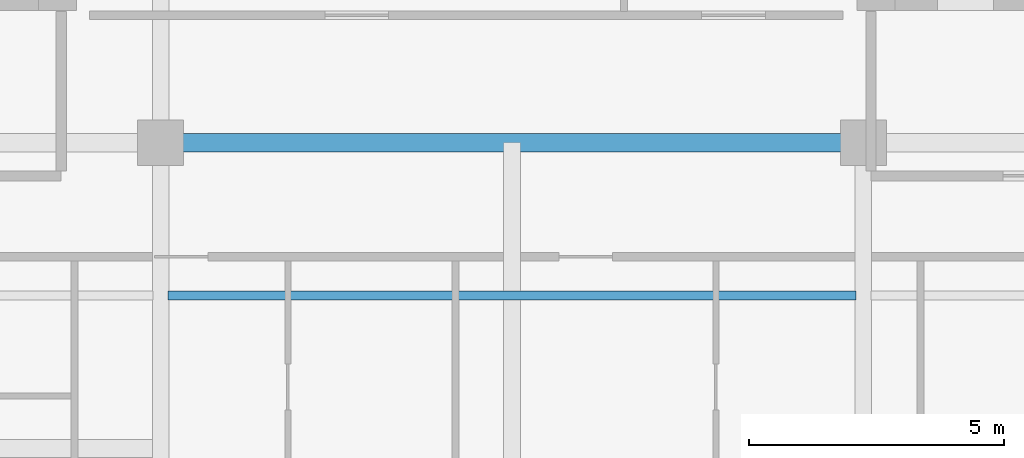
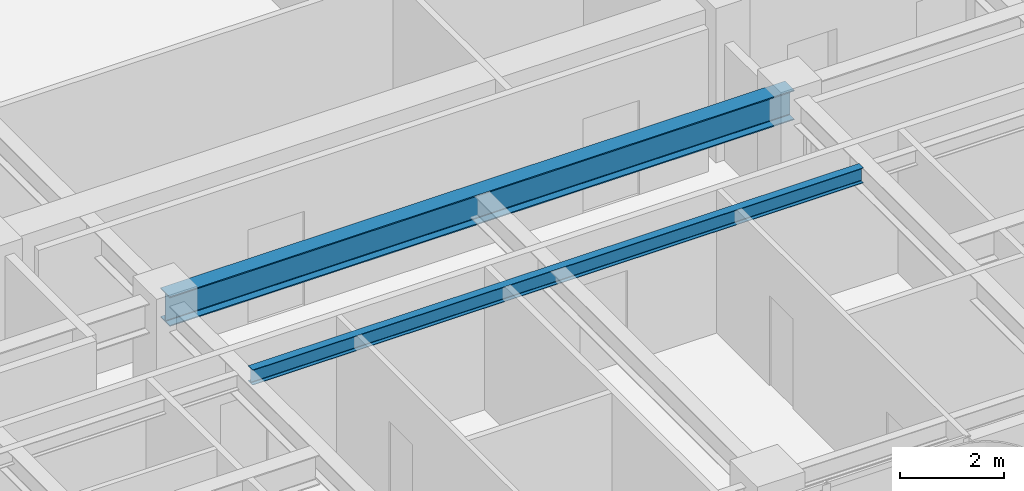
# One storey, part 4 of 19: 2 beams.
"""IFC4 building model written with IfcOpenShell, lengths in metres."""

from ifc_helpers import new_model, si_unit, direction, frame, origin, origin_2d, place, context, subcontext, project, spatial, i_section, extrude, source, transform, mapped, material, material_profile, profile_set, type_object, element, save


model = new_model("IFC4")

# Units and contexts
model_context = context("Model", 3, precision=1e-05, world=origin(), true_north=direction((0.0, 1.0)))
body_context = subcontext(model_context, "Body", "Model", "MODEL_VIEW")
ifc_project = project(units=[si_unit("LENGTHUNIT", "METRE"), si_unit("AREAUNIT", "SQUARE_METRE"), si_unit("VOLUMEUNIT", "CUBIC_METRE"), si_unit("PLANEANGLEUNIT", "RADIAN"), si_unit("MASSUNIT", "GRAM", prefix="KILO")], contexts=[model_context])

# Site, building, storey
site_placement = place(None, origin())
site = spatial("IfcSite", under=ifc_project, at=site_placement, CompositionType="ELEMENT")
building_placement = place(site_placement, origin())
building = spatial("IfcBuilding", under=site, at=building_placement, Name="Khoralis Quay Care Tower", CompositionType="ELEMENT")
storey_placement = place(building_placement, frame((0.0, 0.0, 90.89990234375)))
storey = spatial("IfcBuildingStorey", under=building, at=storey_placement, Name="L23", CompositionType="ELEMENT", Elevation=90.89990234375)

# Beams
ifc_material = material(Name="Steel S355", Category="steel")
ifc_material_profile_1 = material_profile(ifc_material, i_section(OverallWidth=0.35498046875, OverallDepth=0.695068359375, WebThickness=0.015380859375, FlangeThickness=0.02490234375, FilletRadius=0.02001953125, at=origin_2d()), Name="Steel S355")
ifc_profile_set_1 = profile_set([ifc_material_profile_1], Name="Steel S355")
beam_type_1 = type_object("IfcBeamType", Name="BM-W690X217", PredefinedType="BEAM", material=ifc_profile_set_1)
shared_shape_1 = source(origin(), body_context, "Body", "SweptSolid", [
    extrude(i_section(OverallWidth=0.35498046875, OverallDepth=0.695068359375, WebThickness=0.015380859375, FlangeThickness=0.02490234375, FilletRadius=0.02001953125, at=origin_2d()), origin(), (0.0, 0.0, 1.0), 13.7998046875),
])
beam_1_placement = place(storey_placement, frame((17.10009765625, 12.0, 2.99267578125), z_axis=(1.0, 0.0, 0.0), x_axis=(0.0, 1.0, 0.0)))
element("IfcBeam", 1, at=beam_1_placement, inside=storey, type_object=beam_type_1, Name="BM-TGCC-L23-120", PredefinedType="BEAM", context=body_context, shape_type="MappedRepresentation", body=[
    mapped(shared_shape_1, transform((0.0, 0.0, 0.0), scale=1.0)),
])
ifc_material_profile_2 = material_profile(ifc_material, i_section(OverallWidth=0.1708984375, OverallDepth=0.35498046875, WebThickness=0.007080078125, FlangeThickness=0.01171875, FilletRadius=0.012939453125, at=origin_2d()), Name="Steel S355")
ifc_profile_set_2 = profile_set([ifc_material_profile_2], Name="Steel S355")
beam_type_2 = type_object("IfcBeamType", Name="BM-W360X51", PredefinedType="JOIST", material=ifc_profile_set_2)
shared_shape_2 = source(origin(), body_context, "Body", "SweptSolid", [
    extrude(i_section(OverallWidth=0.1708984375, OverallDepth=0.35498046875, WebThickness=0.007080078125, FlangeThickness=0.01171875, FilletRadius=0.012939453125, at=origin_2d()), origin(), (0.0, 0.0, 1.0), 13.4990234375),
])
beam_2_placement = place(storey_placement, frame((17.25048828125, 9.0, 3.16259765625), z_axis=(1.0, 0.0, 0.0), x_axis=(0.0, 1.0, 0.0)))
element("IfcBeam", 2, at=beam_2_placement, inside=storey, type_object=beam_type_2, Name="BM-TJS-L23-27", PredefinedType="JOIST", context=body_context, shape_type="MappedRepresentation", body=[
    mapped(shared_shape_2, transform((0.0, 0.0, 0.0), scale=1.0)),
])

save(model, "model.ifc")
